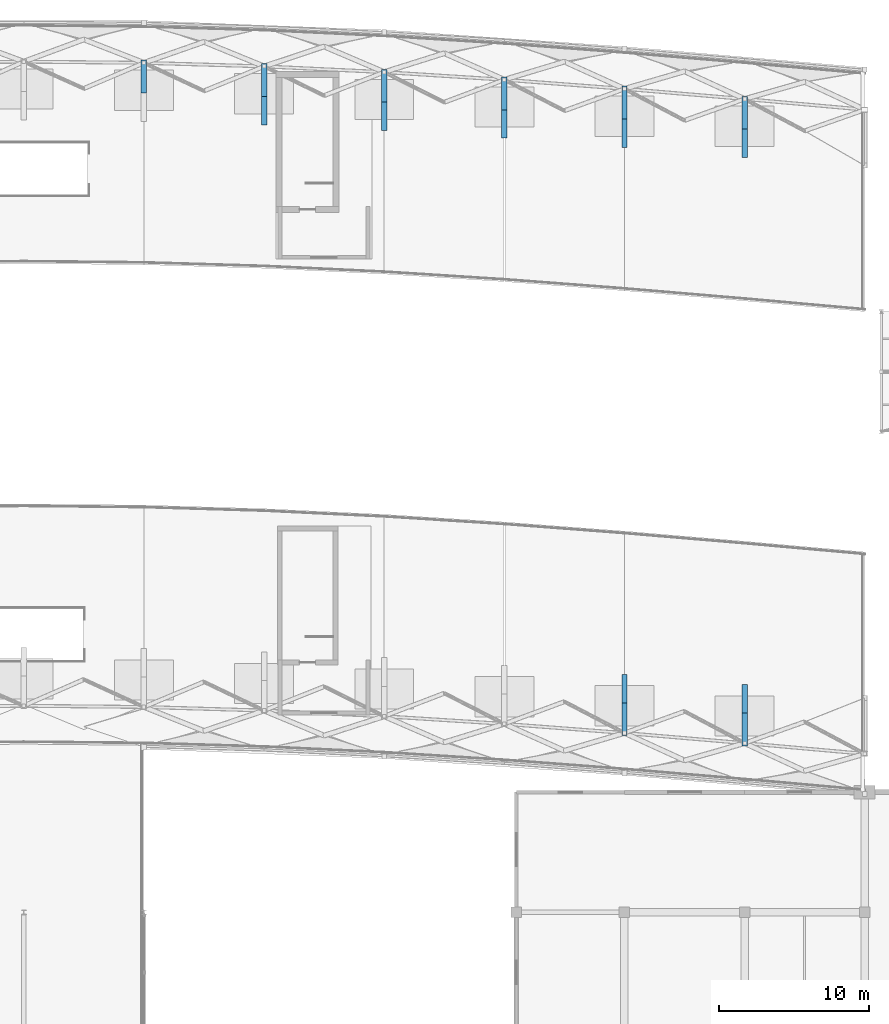
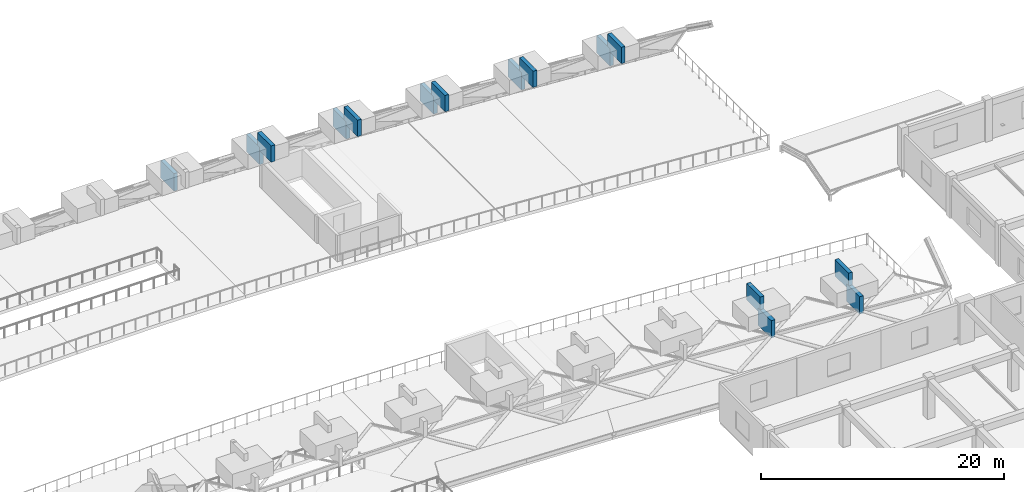
# One storey, part 50 of 67: 15 discrete accessories.
"""IFC4 building model written with IfcOpenShell, lengths in metres."""

from ifc_helpers import new_model, si_unit, direction, frame, origin, origin_2d, place, context, subcontext, project, spatial, rectangle, extrude, material, type_object, element, save


model = new_model("IFC4")

# Units and contexts
model_context = context("Model", 3, precision=1e-05, world=origin(), true_north=direction((0.0, 1.0)))
body_context = subcontext(model_context, "Body", "Model", "MODEL_VIEW")
ifc_project = project(units=[si_unit("LENGTHUNIT", "METRE"), si_unit("AREAUNIT", "SQUARE_METRE"), si_unit("VOLUMEUNIT", "CUBIC_METRE"), si_unit("PLANEANGLEUNIT", "RADIAN"), si_unit("MASSUNIT", "GRAM", prefix="KILO")], contexts=[model_context])

# Site, building, storey
site_placement = place(None, origin())
site = spatial("IfcSite", under=ifc_project, at=site_placement, CompositionType="ELEMENT")
building_placement = place(site_placement, origin())
building = spatial("IfcBuilding", under=site, at=building_placement, Name="Kenh Van Central Station", CompositionType="ELEMENT")
storey_placement = place(building_placement, frame((0.0, 0.0, 10.800048828125)))
storey = spatial("IfcBuildingStorey", under=building, at=storey_placement, Name="L02", CompositionType="ELEMENT", Elevation=10.800048828125)

# Discrete accessories
ifc_material = material(Name="White fluoropolymer structural steel S355", Category="steel")
discrete_accessory_type = type_object("IfcDiscreteAccessoryType", Name="ACC-BRKT-STL", PredefinedType="BRACKET", material=ifc_material)
discrete_accessory_1_placement = place(storey_placement, frame((96.0, 111.655029296875, 3.581787109375), z_axis=(0.0, 0.0, 1.0), x_axis=(1.0, 0.0, 0.0)))
element("IfcDiscreteAccessory", 1, at=discrete_accessory_1_placement, inside=storey, type_object=discrete_accessory_type, Name="Vault louvre fixing bracket 064", PredefinedType="BRACKET", context=body_context, shape_type="SweptSolid", body=[
    extrude(rectangle(XDim=0.360107421875, YDim=2.18505859375, at=origin_2d()), origin(), (0.0, 0.0, 1.0), 1.75341796875),
])
discrete_accessory_2_placement = place(storey_placement, frame((104.0, 109.56005859375, 4.975341796875), z_axis=(0.0, 0.0, 1.0), x_axis=(1.0, 0.0, 0.0)))
element("IfcDiscreteAccessory", 2, at=discrete_accessory_2_placement, inside=storey, type_object=discrete_accessory_type, Name="Vault louvre fixing bracket 073", PredefinedType="BRACKET", context=body_context, shape_type="SweptSolid", body=[
    extrude(rectangle(XDim=0.360107421875, YDim=2.2529296875, at=origin_2d()), origin(), (0.0, 0.0, 1.0), 1.63330078125),
])
discrete_accessory_3_placement = place(storey_placement, frame((104.0, 111.418701171875, 3.581787109375), z_axis=(0.0, 0.0, 1.0), x_axis=(1.0, 0.0, 0.0)))
element("IfcDiscreteAccessory", 3, at=discrete_accessory_3_placement, inside=storey, type_object=discrete_accessory_type, Name="Vault louvre fixing bracket 074", PredefinedType="BRACKET", context=body_context, shape_type="SweptSolid", body=[
    extrude(rectangle(XDim=0.360107421875, YDim=2.18408203125, at=origin_2d()), origin(), (0.0, 0.0, 1.0), 1.75341796875),
])
discrete_accessory_4_placement = place(storey_placement, frame((112.0, 109.179443359375, 4.975341796875), z_axis=(0.0, 0.0, 1.0), x_axis=(1.0, 0.0, 0.0)))
element("IfcDiscreteAccessory", 4, at=discrete_accessory_4_placement, inside=storey, type_object=discrete_accessory_type, Name="Vault louvre fixing bracket 079", PredefinedType="BRACKET", context=body_context, shape_type="SweptSolid", body=[
    extrude(rectangle(XDim=0.360107421875, YDim=2.25390625, at=origin_2d()), origin(), (0.0, 0.0, 1.0), 1.63330078125),
])
discrete_accessory_5_placement = place(storey_placement, frame((112.0, 111.0380859375, 3.581787109375), z_axis=(0.0, 0.0, 1.0), x_axis=(1.0, 0.0, 0.0)))
element("IfcDiscreteAccessory", 5, at=discrete_accessory_5_placement, inside=storey, type_object=discrete_accessory_type, Name="Vault louvre fixing bracket 080", PredefinedType="BRACKET", context=body_context, shape_type="SweptSolid", body=[
    extrude(rectangle(XDim=0.360107421875, YDim=2.18310546875, at=origin_2d()), origin(), (0.0, 0.0, 1.0), 1.75341796875),
])
discrete_accessory_6_placement = place(storey_placement, frame((120.0, 108.673583984375, 4.975341796875), z_axis=(0.0, 0.0, 1.0), x_axis=(1.0, 0.0, 0.0)))
element("IfcDiscreteAccessory", 6, at=discrete_accessory_6_placement, inside=storey, type_object=discrete_accessory_type, Name="Vault louvre fixing bracket 089", PredefinedType="BRACKET", context=body_context, shape_type="SweptSolid", body=[
    extrude(rectangle(XDim=0.360107421875, YDim=2.255615234375, at=origin_2d()), origin(), (0.0, 0.0, 1.0), 1.63330078125),
])
discrete_accessory_7_placement = place(storey_placement, frame((120.0, 110.5322265625, 3.581787109375), z_axis=(0.0, 0.0, 1.0), x_axis=(1.0, 0.0, 0.0)))
element("IfcDiscreteAccessory", 7, at=discrete_accessory_7_placement, inside=storey, type_object=discrete_accessory_type, Name="Vault louvre fixing bracket 090", PredefinedType="BRACKET", context=body_context, shape_type="SweptSolid", body=[
    extrude(rectangle(XDim=0.360107421875, YDim=2.181396484375, at=origin_2d()), origin(), (0.0, 0.0, 1.0), 1.75341796875),
])
discrete_accessory_8_placement = place(storey_placement, frame((128.0, 68.84619140625, 3.581787109375), z_axis=(0.0, 0.0, 1.0), x_axis=(1.0, 0.0, 0.0)))
element("IfcDiscreteAccessory", 8, at=discrete_accessory_8_placement, inside=storey, type_object=discrete_accessory_type, Name="Vault louvre fixing bracket 093", PredefinedType="BRACKET", context=body_context, shape_type="SweptSolid", body=[
    extrude(rectangle(XDim=0.360107421875, YDim=2.1708984375, at=origin_2d()), origin(), (0.0, 0.0, 1.0), 1.75341796875),
])
discrete_accessory_9_placement = place(storey_placement, frame((128.0, 70.70458984375, 4.975341796875), z_axis=(0.0, 0.0, 1.0), x_axis=(1.0, 0.0, 0.0)))
element("IfcDiscreteAccessory", 9, at=discrete_accessory_9_placement, inside=storey, type_object=discrete_accessory_type, Name="Vault louvre fixing bracket 094", PredefinedType="BRACKET", context=body_context, shape_type="SweptSolid", body=[
    extrude(rectangle(XDim=0.360107421875, YDim=2.266357421875, at=origin_2d()), origin(), (0.0, 0.0, 1.0), 1.63330078125),
])
discrete_accessory_10_placement = place(storey_placement, frame((128.0, 108.06787109375, 4.975341796875), z_axis=(0.0, 0.0, 1.0), x_axis=(1.0, 0.0, 0.0)))
element("IfcDiscreteAccessory", 10, at=discrete_accessory_10_placement, inside=storey, type_object=discrete_accessory_type, Name="Vault louvre fixing bracket 095", PredefinedType="BRACKET", context=body_context, shape_type="SweptSolid", body=[
    extrude(rectangle(XDim=0.360107421875, YDim=2.257568359375, at=origin_2d()), origin(), (0.0, 0.0, 1.0), 1.63330078125),
])
discrete_accessory_11_placement = place(storey_placement, frame((128.0, 109.92626953125, 3.581787109375), z_axis=(0.0, 0.0, 1.0), x_axis=(1.0, 0.0, 0.0)))
element("IfcDiscreteAccessory", 11, at=discrete_accessory_11_placement, inside=storey, type_object=discrete_accessory_type, Name="Vault louvre fixing bracket 096", PredefinedType="BRACKET", context=body_context, shape_type="SweptSolid", body=[
    extrude(rectangle(XDim=0.360107421875, YDim=2.179443359375, at=origin_2d()), origin(), (0.0, 0.0, 1.0), 1.75341796875),
])
discrete_accessory_12_placement = place(storey_placement, frame((136.0, 68.1708984375, 3.581787109375), z_axis=(0.0, 0.0, 1.0), x_axis=(1.0, 0.0, 0.0)))
element("IfcDiscreteAccessory", 12, at=discrete_accessory_12_placement, inside=storey, type_object=discrete_accessory_type, Name="Vault louvre fixing bracket 099", PredefinedType="BRACKET", context=body_context, shape_type="SweptSolid", body=[
    extrude(rectangle(XDim=0.360107421875, YDim=2.1728515625, at=origin_2d()), origin(), (0.0, 0.0, 1.0), 1.75341796875),
])
discrete_accessory_13_placement = place(storey_placement, frame((136.0, 70.029541015625, 4.975341796875), z_axis=(0.0, 0.0, 1.0), x_axis=(1.0, 0.0, 0.0)))
element("IfcDiscreteAccessory", 13, at=discrete_accessory_13_placement, inside=storey, type_object=discrete_accessory_type, Name="Vault louvre fixing bracket 100", PredefinedType="BRACKET", context=body_context, shape_type="SweptSolid", body=[
    extrude(rectangle(XDim=0.360107421875, YDim=2.26416015625, at=origin_2d()), origin(), (0.0, 0.0, 1.0), 1.63330078125),
])
discrete_accessory_14_placement = place(storey_placement, frame((136.0, 107.392578125, 4.975341796875), z_axis=(0.0, 0.0, 1.0), x_axis=(1.0, 0.0, 0.0)))
element("IfcDiscreteAccessory", 14, at=discrete_accessory_14_placement, inside=storey, type_object=discrete_accessory_type, Name="Vault louvre fixing bracket 105", PredefinedType="BRACKET", context=body_context, shape_type="SweptSolid", body=[
    extrude(rectangle(XDim=0.360107421875, YDim=2.259765625, at=origin_2d()), origin(), (0.0, 0.0, 1.0), 1.63330078125),
])
discrete_accessory_15_placement = place(storey_placement, frame((136.0, 109.2509765625, 3.581787109375), z_axis=(0.0, 0.0, 1.0), x_axis=(1.0, 0.0, 0.0)))
element("IfcDiscreteAccessory", 15, at=discrete_accessory_15_placement, inside=storey, type_object=discrete_accessory_type, Name="Vault louvre fixing bracket 106", PredefinedType="BRACKET", context=body_context, shape_type="SweptSolid", body=[
    extrude(rectangle(XDim=0.360107421875, YDim=2.177490234375, at=origin_2d()), origin(), (0.0, 0.0, 1.0), 1.75341796875),
])

save(model, "model.ifc")
